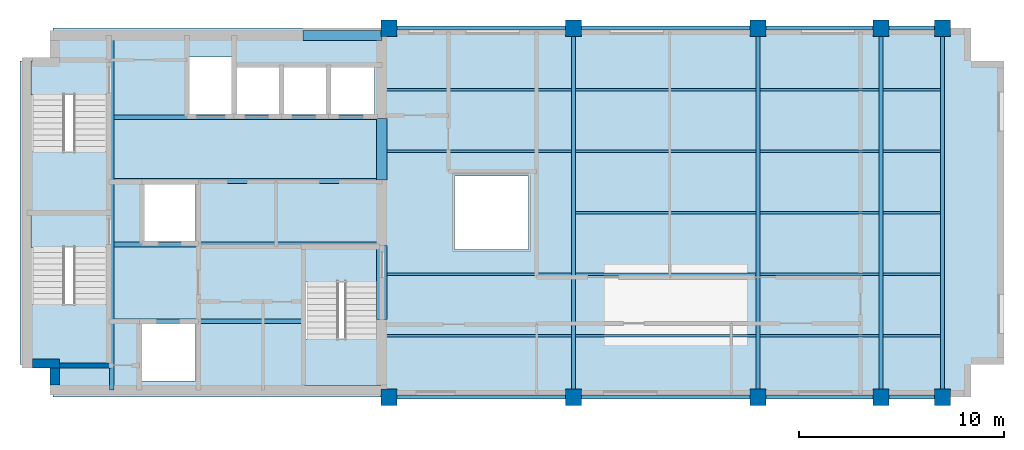
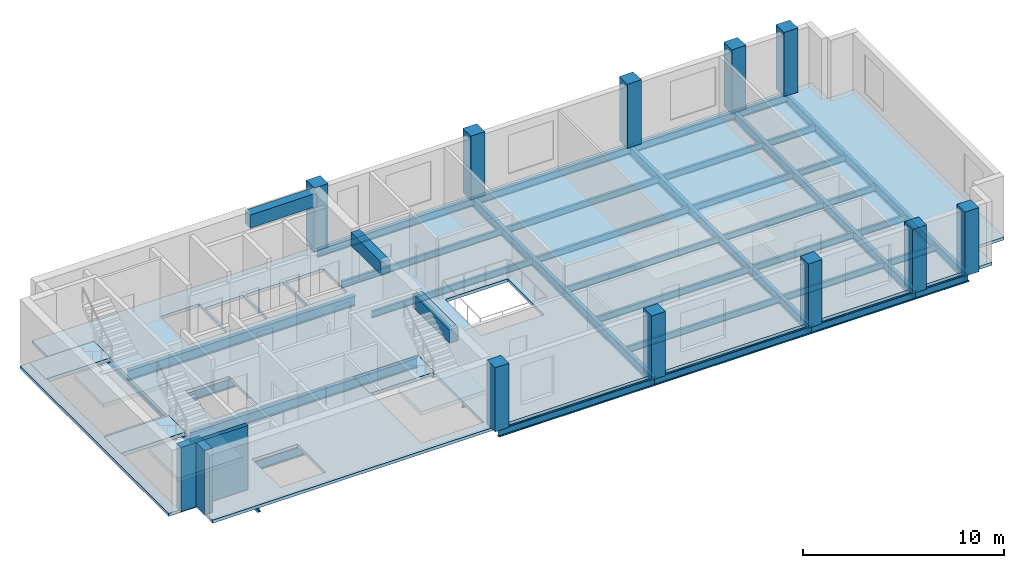
# One storey, part 1 of 5: 39 beams, 10 columns, 7 slabs, 3 walls, 3 elements without a shape of their own.
"""IFC4 building model written with IfcOpenShell, lengths in metres."""

from ifc_helpers import new_model, si_unit, direction, frame, frame_2d, origin, origin_2d, place, context, subcontext, project, spatial, polyline, rectangle, i_section, outline, extrude, material, layer, layer_set, material_profile, profile_set, type_object, element, aggregate, save


model = new_model("IFC4")

# Units and contexts
model_context = context("Model", 3, precision=1e-05, world=origin(), true_north=direction((0.0, 1.0)))
body_context = subcontext(model_context, "Body", "Model", "MODEL_VIEW")
ifc_project = project(units=[si_unit("LENGTHUNIT", "METRE"), si_unit("AREAUNIT", "SQUARE_METRE"), si_unit("VOLUMEUNIT", "CUBIC_METRE"), si_unit("PLANEANGLEUNIT", "RADIAN"), si_unit("MASSUNIT", "GRAM", prefix="KILO")], contexts=[model_context])

# Site, building, storey
site_placement = place(None, origin())
site = spatial("IfcSite", under=ifc_project, at=site_placement, CompositionType="ELEMENT")
building_placement = place(site_placement, origin())
building = spatial("IfcBuilding", under=site, at=building_placement, Name="Mawjdan Bourse Tower", CompositionType="ELEMENT")
storey_placement = place(building_placement, frame((0.0, 0.0, 258.60009765625)))
storey = spatial("IfcBuildingStorey", under=building, at=storey_placement, Name="L63", CompositionType="ELEMENT", Elevation=258.60009765625)

# Columns
ifc_material_1 = material(Name="Concrete C60/75", Category="concrete")
ifc_material_profile_1 = material_profile(ifc_material_1, rectangle(XDim=0.800048828125, YDim=0.800048828125, at=origin_2d()), Name="RC800X800")
ifc_profile_set_1 = profile_set([ifc_material_profile_1], Name="Concrete C60/75")
column_type = type_object("IfcColumnType", Name="COL-RC800X800", PredefinedType="COLUMN", material=ifc_profile_set_1)
for number, where, z_axis, x_axis, name in (
    (1, (24.0, 3.0, 0.0), (0.0, 0.0, 1.0), (1.0, 0.0, 0.0), "L63 Structural Column C-X240-Y30"),
    (2, (24.0, 21.0, 0.0), (0.0, 0.0, 1.0), (1.0, 0.0, 0.0), "L63 Structural Column C-X240-Y210"),
    (3, (33.0, 3.0, 0.0), (0.0, 0.0, 1.0), (1.0, 0.0, 0.0), "L63 Structural Column C-X330-Y30"),
    (4, (33.0, 21.0, 0.0), (0.0, 0.0, 1.0), (1.0, 0.0, 0.0), "L63 Structural Column C-X330-Y210"),
    (5, (42.0, 3.0, 0.0), (0.0, 0.0, 1.0), (1.0, 0.0, 0.0), "L63 Structural Column C-X420-Y30"),
    (6, (42.0, 21.0, 0.0), (0.0, 0.0, 1.0), (1.0, 0.0, 0.0), "L63 Structural Column C-X420-Y210"),
    (7, (48.0, 3.0, 0.0), (0.0, 0.0, 1.0), (1.0, 0.0, 0.0), "L63 Structural Column C-X480-Y30"),
    (8, (48.0, 21.0, 0.0), (0.0, 0.0, 1.0), (1.0, 0.0, 0.0), "L63 Structural Column C-X480-Y210"),
    (9, (51.0, 3.0, 0.0), (0.0, 0.0, 1.0), (1.0, 0.0, 0.0), "L63 Structural Column C-X510-Y30"),
    (10, (51.0, 21.0, 0.0), (0.0, 0.0, 1.0), (1.0, 0.0, 0.0), "L63 Structural Column C-X510-Y210"),
):
    element("IfcColumn", number, at=place(storey_placement, frame(where, z_axis=z_axis, x_axis=x_axis)), inside=storey, type_object=column_type, Name=name, PredefinedType="COLUMN", context=body_context, shape_type="SweptSolid", body=[
        extrude(rectangle(XDim=0.800048828125, YDim=0.800048828125, at=origin_2d()), origin(), (0.0, 0.0, 1.0), 3.89990234375),
    ])

# Beams
ifc_material_2 = material(Name="Structural Steel S355", Category="steel")
ifc_material_profile_2 = material_profile(ifc_material_2, i_section(OverallWidth=0.2119140625, OverallDepth=0.5439453125, WebThickness=0.01318359375, FlangeThickness=0.021240234375, FilletRadius=0.01708984375, at=origin_2d()), Name="W21X83")
ifc_profile_set_2 = profile_set([ifc_material_profile_2], Name="Structural Steel S355")
beam_type_1 = type_object("IfcBeamType", Name="GRD-W21X83", PredefinedType="BEAM", material=ifc_profile_set_2)
beam_1_placement = place(storey_placement, frame((10.47998046875, 3.35009765625, -0.45703125), z_axis=(0.0, 1.0, 0.0), x_axis=(-1.0, 0.0, 0.0)))
element("IfcBeam", 11, at=beam_1_placement, inside=storey, type_object=beam_type_1, Name="L63 Core Stair Trimmer Girder 001", PredefinedType="BEAM", context=body_context, shape_type="SweptSolid", body=[
    extrude(i_section(OverallWidth=0.2119140625, OverallDepth=0.5439453125, WebThickness=0.01318359375, FlangeThickness=0.021240234375, FilletRadius=0.01708984375, at=origin_2d()), origin(), (0.0, 0.0, 1.0), 17.2998046875),
])
for number, where, z_axis, x_axis, name in (
    (12, (33.0, 3.0, -0.45703125), (0.0, 1.0, 0.0), (-1.0, 0.0, 0.0), "L63 East Wing Clear-Span Girder 002"),
    (13, (42.0, 3.0, -0.45703125), (0.0, 1.0, 0.0), (-1.0, 0.0, 0.0), "L63 East Wing Clear-Span Girder 003"),
    (14, (48.0, 3.0, -0.45703125), (0.0, 1.0, 0.0), (-1.0, 0.0, 0.0), "L63 East Wing Clear-Span Girder 004"),
    (15, (51.0, 3.0, -0.45703125), (0.0, 1.0, 0.0), (-1.0, 0.0, 0.0), "L63 East Wing Clear-Span Girder 005"),
):
    element("IfcBeam", number, at=place(storey_placement, frame(where, z_axis=z_axis, x_axis=x_axis)), inside=storey, type_object=beam_type_1, Name=name, PredefinedType="BEAM", context=body_context, shape_type="SweptSolid", body=[
        extrude(i_section(OverallWidth=0.2119140625, OverallDepth=0.5439453125, WebThickness=0.01318359375, FlangeThickness=0.021240234375, FilletRadius=0.01708984375, at=origin_2d()), origin(), (0.0, 0.0, 1.0), 18.0),
    ])
ifc_material_profile_3 = material_profile(ifc_material_2, i_section(OverallWidth=0.139892578125, OverallDepth=0.404052734375, WebThickness=0.007080078125, FlangeThickness=0.01123046875, FilletRadius=0.009033203125, at=origin_2d()), Name="W16X31")
ifc_profile_set_3 = profile_set([ifc_material_profile_3], Name="Structural Steel S355")
beam_type_2 = type_object("IfcBeamType", Name="JST-W16X31", PredefinedType="JOIST", material=ifc_profile_set_3)
beam_2_placement = place(storey_placement, frame((23.64990234375, 6.0, -0.38720703125), z_axis=(1.0, 0.0, 0.0), x_axis=(0.0, 1.0, 0.0)))
element("IfcBeam", 16, at=beam_2_placement, inside=storey, type_object=beam_type_2, Name="L63 East Wing Composite Joist 014", PredefinedType="JOIST", context=body_context, shape_type="SweptSolid", body=[
    extrude(i_section(OverallWidth=0.139892578125, OverallDepth=0.404052734375, WebThickness=0.007080078125, FlangeThickness=0.01123046875, FilletRadius=0.009033203125, at=origin_2d()), origin(), (0.0, 0.0, 1.0), 9.24609375),
])
beam_3_placement = place(storey_placement, frame((33.10400390625, 6.0, -0.38720703125), z_axis=(1.0, 0.0, 0.0), x_axis=(0.0, 1.0, 0.0)))
element("IfcBeam", 17, at=beam_3_placement, inside=storey, type_object=beam_type_2, Name="L63 East Wing Composite Joist 015", PredefinedType="JOIST", context=body_context, shape_type="SweptSolid", body=[
    extrude(i_section(OverallWidth=0.139892578125, OverallDepth=0.404052734375, WebThickness=0.007080078125, FlangeThickness=0.01123046875, FilletRadius=0.009033203125, at=origin_2d()), origin(), (0.0, 0.0, 1.0), 8.7919921875),
])
beam_4_placement = place(storey_placement, frame((42.10400390625, 6.0, -0.38720703125), z_axis=(1.0, 0.0, 0.0), x_axis=(0.0, 1.0, 0.0)))
element("IfcBeam", 18, at=beam_4_placement, inside=storey, type_object=beam_type_2, Name="L63 East Wing Composite Joist 016", PredefinedType="JOIST", context=body_context, shape_type="SweptSolid", body=[
    extrude(i_section(OverallWidth=0.139892578125, OverallDepth=0.404052734375, WebThickness=0.007080078125, FlangeThickness=0.01123046875, FilletRadius=0.009033203125, at=origin_2d()), origin(), (0.0, 0.0, 1.0), 5.7919921875),
])
beam_5_placement = place(storey_placement, frame((48.10400390625, 6.0, -0.38720703125), z_axis=(1.0, 0.0, 0.0), x_axis=(0.0, 1.0, 0.0)))
element("IfcBeam", 19, at=beam_5_placement, inside=storey, type_object=beam_type_2, Name="L63 East Wing Composite Joist 017", PredefinedType="JOIST", context=body_context, shape_type="SweptSolid", body=[
    extrude(i_section(OverallWidth=0.139892578125, OverallDepth=0.404052734375, WebThickness=0.007080078125, FlangeThickness=0.01123046875, FilletRadius=0.009033203125, at=origin_2d()), origin(), (0.0, 0.0, 1.0), 2.7919921875),
])
beam_6_placement = place(storey_placement, frame((23.64990234375, 9.0, -0.38720703125), z_axis=(1.0, 0.0, 0.0), x_axis=(0.0, 1.0, 0.0)))
element("IfcBeam", 20, at=beam_6_placement, inside=storey, type_object=beam_type_2, Name="L63 East Wing Composite Joist 018", PredefinedType="JOIST", context=body_context, shape_type="SweptSolid", body=[
    extrude(i_section(OverallWidth=0.139892578125, OverallDepth=0.404052734375, WebThickness=0.007080078125, FlangeThickness=0.01123046875, FilletRadius=0.009033203125, at=origin_2d()), origin(), (0.0, 0.0, 1.0), 9.24609375),
])
beam_7_placement = place(storey_placement, frame((33.10400390625, 9.0, -0.38720703125), z_axis=(1.0, 0.0, 0.0), x_axis=(0.0, 1.0, 0.0)))
element("IfcBeam", 21, at=beam_7_placement, inside=storey, type_object=beam_type_2, Name="L63 East Wing Composite Joist 019", PredefinedType="JOIST", context=body_context, shape_type="SweptSolid", body=[
    extrude(i_section(OverallWidth=0.139892578125, OverallDepth=0.404052734375, WebThickness=0.007080078125, FlangeThickness=0.01123046875, FilletRadius=0.009033203125, at=origin_2d()), origin(), (0.0, 0.0, 1.0), 8.7919921875),
])
beam_8_placement = place(storey_placement, frame((42.10400390625, 9.0, -0.38720703125), z_axis=(1.0, 0.0, 0.0), x_axis=(0.0, 1.0, 0.0)))
element("IfcBeam", 22, at=beam_8_placement, inside=storey, type_object=beam_type_2, Name="L63 East Wing Composite Joist 020", PredefinedType="JOIST", context=body_context, shape_type="SweptSolid", body=[
    extrude(i_section(OverallWidth=0.139892578125, OverallDepth=0.404052734375, WebThickness=0.007080078125, FlangeThickness=0.01123046875, FilletRadius=0.009033203125, at=origin_2d()), origin(), (0.0, 0.0, 1.0), 5.7919921875),
])
beam_9_placement = place(storey_placement, frame((48.10400390625, 9.0, -0.38720703125), z_axis=(1.0, 0.0, 0.0), x_axis=(0.0, 1.0, 0.0)))
element("IfcBeam", 23, at=beam_9_placement, inside=storey, type_object=beam_type_2, Name="L63 East Wing Composite Joist 021", PredefinedType="JOIST", context=body_context, shape_type="SweptSolid", body=[
    extrude(i_section(OverallWidth=0.139892578125, OverallDepth=0.404052734375, WebThickness=0.007080078125, FlangeThickness=0.01123046875, FilletRadius=0.009033203125, at=origin_2d()), origin(), (0.0, 0.0, 1.0), 2.7919921875),
])
beam_10_placement = place(storey_placement, frame((33.10400390625, 12.0, -0.38720703125), z_axis=(1.0, 0.0, 0.0), x_axis=(0.0, 1.0, 0.0)))
element("IfcBeam", 24, at=beam_10_placement, inside=storey, type_object=beam_type_2, Name="L63 East Wing Composite Joist 022", PredefinedType="JOIST", context=body_context, shape_type="SweptSolid", body=[
    extrude(i_section(OverallWidth=0.139892578125, OverallDepth=0.404052734375, WebThickness=0.007080078125, FlangeThickness=0.01123046875, FilletRadius=0.009033203125, at=origin_2d()), origin(), (0.0, 0.0, 1.0), 8.7919921875),
])
beam_11_placement = place(storey_placement, frame((42.10400390625, 12.0, -0.38720703125), z_axis=(1.0, 0.0, 0.0), x_axis=(0.0, 1.0, 0.0)))
element("IfcBeam", 25, at=beam_11_placement, inside=storey, type_object=beam_type_2, Name="L63 East Wing Composite Joist 023", PredefinedType="JOIST", context=body_context, shape_type="SweptSolid", body=[
    extrude(i_section(OverallWidth=0.139892578125, OverallDepth=0.404052734375, WebThickness=0.007080078125, FlangeThickness=0.01123046875, FilletRadius=0.009033203125, at=origin_2d()), origin(), (0.0, 0.0, 1.0), 5.7919921875),
])
beam_12_placement = place(storey_placement, frame((48.10400390625, 12.0, -0.38720703125), z_axis=(1.0, 0.0, 0.0), x_axis=(0.0, 1.0, 0.0)))
element("IfcBeam", 26, at=beam_12_placement, inside=storey, type_object=beam_type_2, Name="L63 East Wing Composite Joist 024", PredefinedType="JOIST", context=body_context, shape_type="SweptSolid", body=[
    extrude(i_section(OverallWidth=0.139892578125, OverallDepth=0.404052734375, WebThickness=0.007080078125, FlangeThickness=0.01123046875, FilletRadius=0.009033203125, at=origin_2d()), origin(), (0.0, 0.0, 1.0), 2.7919921875),
])
beam_13_placement = place(storey_placement, frame((23.64990234375, 15.0, -0.38720703125), z_axis=(1.0, 0.0, 0.0), x_axis=(0.0, 1.0, 0.0)))
element("IfcBeam", 27, at=beam_13_placement, inside=storey, type_object=beam_type_2, Name="L63 East Wing Composite Joist 025", PredefinedType="JOIST", context=body_context, shape_type="SweptSolid", body=[
    extrude(i_section(OverallWidth=0.139892578125, OverallDepth=0.404052734375, WebThickness=0.007080078125, FlangeThickness=0.01123046875, FilletRadius=0.009033203125, at=origin_2d()), origin(), (0.0, 0.0, 1.0), 9.24609375),
])
beam_14_placement = place(storey_placement, frame((33.10400390625, 15.0, -0.38720703125), z_axis=(1.0, 0.0, 0.0), x_axis=(0.0, 1.0, 0.0)))
element("IfcBeam", 28, at=beam_14_placement, inside=storey, type_object=beam_type_2, Name="L63 East Wing Composite Joist 026", PredefinedType="JOIST", context=body_context, shape_type="SweptSolid", body=[
    extrude(i_section(OverallWidth=0.139892578125, OverallDepth=0.404052734375, WebThickness=0.007080078125, FlangeThickness=0.01123046875, FilletRadius=0.009033203125, at=origin_2d()), origin(), (0.0, 0.0, 1.0), 8.7919921875),
])
beam_15_placement = place(storey_placement, frame((42.10400390625, 15.0, -0.38720703125), z_axis=(1.0, 0.0, 0.0), x_axis=(0.0, 1.0, 0.0)))
element("IfcBeam", 29, at=beam_15_placement, inside=storey, type_object=beam_type_2, Name="L63 East Wing Composite Joist 027", PredefinedType="JOIST", context=body_context, shape_type="SweptSolid", body=[
    extrude(i_section(OverallWidth=0.139892578125, OverallDepth=0.404052734375, WebThickness=0.007080078125, FlangeThickness=0.01123046875, FilletRadius=0.009033203125, at=origin_2d()), origin(), (0.0, 0.0, 1.0), 5.7919921875),
])
beam_16_placement = place(storey_placement, frame((48.10400390625, 15.0, -0.38720703125), z_axis=(1.0, 0.0, 0.0), x_axis=(0.0, 1.0, 0.0)))
element("IfcBeam", 30, at=beam_16_placement, inside=storey, type_object=beam_type_2, Name="L63 East Wing Composite Joist 028", PredefinedType="JOIST", context=body_context, shape_type="SweptSolid", body=[
    extrude(i_section(OverallWidth=0.139892578125, OverallDepth=0.404052734375, WebThickness=0.007080078125, FlangeThickness=0.01123046875, FilletRadius=0.009033203125, at=origin_2d()), origin(), (0.0, 0.0, 1.0), 2.7919921875),
])
beam_17_placement = place(storey_placement, frame((23.64990234375, 18.0, -0.38720703125), z_axis=(1.0, 0.0, 0.0), x_axis=(0.0, 1.0, 0.0)))
element("IfcBeam", 31, at=beam_17_placement, inside=storey, type_object=beam_type_2, Name="L63 East Wing Composite Joist 029", PredefinedType="JOIST", context=body_context, shape_type="SweptSolid", body=[
    extrude(i_section(OverallWidth=0.139892578125, OverallDepth=0.404052734375, WebThickness=0.007080078125, FlangeThickness=0.01123046875, FilletRadius=0.009033203125, at=origin_2d()), origin(), (0.0, 0.0, 1.0), 9.24609375),
])
beam_18_placement = place(storey_placement, frame((33.10400390625, 18.0, -0.38720703125), z_axis=(1.0, 0.0, 0.0), x_axis=(0.0, 1.0, 0.0)))
element("IfcBeam", 32, at=beam_18_placement, inside=storey, type_object=beam_type_2, Name="L63 East Wing Composite Joist 030", PredefinedType="JOIST", context=body_context, shape_type="SweptSolid", body=[
    extrude(i_section(OverallWidth=0.139892578125, OverallDepth=0.404052734375, WebThickness=0.007080078125, FlangeThickness=0.01123046875, FilletRadius=0.009033203125, at=origin_2d()), origin(), (0.0, 0.0, 1.0), 8.7919921875),
])
beam_19_placement = place(storey_placement, frame((42.10400390625, 18.0, -0.38720703125), z_axis=(1.0, 0.0, 0.0), x_axis=(0.0, 1.0, 0.0)))
element("IfcBeam", 33, at=beam_19_placement, inside=storey, type_object=beam_type_2, Name="L63 East Wing Composite Joist 031", PredefinedType="JOIST", context=body_context, shape_type="SweptSolid", body=[
    extrude(i_section(OverallWidth=0.139892578125, OverallDepth=0.404052734375, WebThickness=0.007080078125, FlangeThickness=0.01123046875, FilletRadius=0.009033203125, at=origin_2d()), origin(), (0.0, 0.0, 1.0), 5.7919921875),
])
beam_20_placement = place(storey_placement, frame((48.10400390625, 18.0, -0.38720703125), z_axis=(1.0, 0.0, 0.0), x_axis=(0.0, 1.0, 0.0)))
element("IfcBeam", 34, at=beam_20_placement, inside=storey, type_object=beam_type_2, Name="L63 East Wing Composite Joist 032", PredefinedType="JOIST", context=body_context, shape_type="SweptSolid", body=[
    extrude(i_section(OverallWidth=0.139892578125, OverallDepth=0.404052734375, WebThickness=0.007080078125, FlangeThickness=0.01123046875, FilletRadius=0.009033203125, at=origin_2d()), origin(), (0.0, 0.0, 1.0), 2.7919921875),
])
ifc_material_profile_4 = material_profile(ifc_material_2, i_section(OverallWidth=0.22998046875, OverallDepth=0.616943359375, WebThickness=0.01318359375, FlangeThickness=0.022216796875, FilletRadius=0.017822265625, at=origin_2d()), Name="W24X94")
ifc_profile_set_4 = profile_set([ifc_material_profile_4], Name="Structural Steel S355")
beam_type_3 = type_object("IfcBeamType", Name="JST-W24X94", PredefinedType="JOIST", material=ifc_profile_set_4)
beam_21_placement = place(storey_placement, frame((10.583984375, 6.699951171875, -0.49365234375), z_axis=(1.0, 0.0, 0.0), x_axis=(0.0, 1.0, 0.0)))
element("IfcBeam", 35, at=beam_21_placement, inside=storey, type_object=beam_type_3, Name="L63 Core Floor Joist 033", PredefinedType="JOIST", context=body_context, shape_type="SweptSolid", body=[
    extrude(i_section(OverallWidth=0.22998046875, OverallDepth=0.616943359375, WebThickness=0.01318359375, FlangeThickness=0.022216796875, FilletRadius=0.017822265625, at=origin_2d()), origin(), (0.0, 0.0, 1.0), 9.24609375),
])
for number, where, z_axis, x_axis, name in (
    (36, (10.583984375, 10.449951171875, -0.49365234375), (1.0, 0.0, 0.0), (0.0, 1.0, 0.0), "L63 Core Floor Joist 034"),
    (37, (10.583984375, 13.550048828125, -0.49365234375), (1.0, 0.0, 0.0), (0.0, 1.0, 0.0), "L63 Core Floor Joist 035"),
    (38, (10.583984375, 16.64990234375, -0.49365234375), (1.0, 0.0, 0.0), (0.0, 1.0, 0.0), "L63 Core Floor Joist 036"),
):
    element("IfcBeam", number, at=place(storey_placement, frame(where, z_axis=z_axis, x_axis=x_axis)), inside=storey, type_object=beam_type_3, Name=name, PredefinedType="JOIST", context=body_context, shape_type="SweptSolid", body=[
        extrude(i_section(OverallWidth=0.22998046875, OverallDepth=0.616943359375, WebThickness=0.01318359375, FlangeThickness=0.022216796875, FilletRadius=0.017822265625, at=origin_2d()), origin(), (0.0, 0.0, 1.0), 13.06591796875),
    ])
ifc_material_3 = material(Name="Concrete C70/85", Category="concrete")
ifc_material_profile_5 = material_profile(ifc_material_3, rectangle(XDim=0.5, YDim=0.800048828125, at=origin_2d()), Name="RCB500X800")
ifc_profile_set_5 = profile_set([ifc_material_profile_5], Name="Concrete C70/85")
beam_type_4 = type_object("IfcBeamType", Name="LNT-RCB500X800", PredefinedType="LINTEL", material=ifc_profile_set_5)
beam_22_placement = place(storey_placement, frame((23.64990234375, 6.800048828125, 3.31494140625), z_axis=(0.0, 1.0, 0.0), x_axis=(-1.0, 0.0, 0.0)))
element("IfcBeam", 39, at=beam_22_placement, inside=storey, type_object=beam_type_4, Name="L63 Coupled Core Lintel CB-E1", PredefinedType="LINTEL", context=body_context, shape_type="SweptSolid", body=[
    extrude(rectangle(XDim=0.5, YDim=0.800048828125, at=origin_2d()), origin(), (0.0, 0.0, 1.0), 3.599853515625),
])
beam_23_placement = place(storey_placement, frame((23.64990234375, 13.60009765625, 3.31494140625), z_axis=(0.0, 1.0, 0.0), x_axis=(-1.0, 0.0, 0.0)))
element("IfcBeam", 40, at=beam_23_placement, inside=storey, type_object=beam_type_4, Name="L63 Coupled Core Lintel CB-E2", PredefinedType="LINTEL", context=body_context, shape_type="SweptSolid", body=[
    extrude(rectangle(XDim=0.5, YDim=0.800048828125, at=origin_2d()), origin(), (0.0, 0.0, 1.0), 3.0),
])
beam_24_placement = place(storey_placement, frame((19.800048828125, 20.64990234375, 3.31494140625), z_axis=(1.0, 0.0, 0.0), x_axis=(0.0, 1.0, 0.0)))
element("IfcBeam", 41, at=beam_24_placement, inside=storey, type_object=beam_type_4, Name="L63 Coupled Core Lintel CB-N1", PredefinedType="LINTEL", context=body_context, shape_type="SweptSolid", body=[
    extrude(rectangle(XDim=0.5, YDim=0.800048828125, at=origin_2d()), origin(), (0.0, 0.0, 1.0), 3.849853515625),
])
ifc_material_profile_6 = material_profile(ifc_material_2, i_section(OverallWidth=0.19189453125, OverallDepth=0.462890625, WebThickness=0.010498046875, FlangeThickness=0.017578125, FilletRadius=0.01416015625, at=origin_2d()), Name="W18X60")
ifc_profile_set_6 = profile_set([ifc_material_profile_6], Name="Structural Steel S355")
beam_type_5 = type_object("IfcBeamType", Name="SPN-W18X60", PredefinedType="SPANDREL", material=ifc_profile_set_6)
for number, where, z_axis, x_axis, name in (
    (42, (24.0, 3.0, -0.41650390625), (1.0, 0.0, 0.0), (0.0, 1.0, 0.0), "L63 Perimeter Masonry-Shelf Spandrel 006"),
    (43, (33.0, 3.0, -0.41650390625), (1.0, 0.0, 0.0), (0.0, 1.0, 0.0), "L63 Perimeter Masonry-Shelf Spandrel 007"),
):
    element("IfcBeam", number, at=place(storey_placement, frame(where, z_axis=z_axis, x_axis=x_axis)), inside=storey, type_object=beam_type_5, Name=name, PredefinedType="SPANDREL", context=body_context, shape_type="SweptSolid", body=[
        extrude(i_section(OverallWidth=0.19189453125, OverallDepth=0.462890625, WebThickness=0.010498046875, FlangeThickness=0.017578125, FilletRadius=0.01416015625, at=origin_2d()), origin(), (0.0, 0.0, 1.0), 9.0),
    ])
beam_25_placement = place(storey_placement, frame((42.0, 3.0, -0.41650390625), z_axis=(1.0, 0.0, 0.0), x_axis=(0.0, 1.0, 0.0)))
element("IfcBeam", 44, at=beam_25_placement, inside=storey, type_object=beam_type_5, Name="L63 Perimeter Masonry-Shelf Spandrel 008", PredefinedType="SPANDREL", context=body_context, shape_type="SweptSolid", body=[
    extrude(i_section(OverallWidth=0.19189453125, OverallDepth=0.462890625, WebThickness=0.010498046875, FlangeThickness=0.017578125, FilletRadius=0.01416015625, at=origin_2d()), origin(), (0.0, 0.0, 1.0), 6.0),
])
beam_26_placement = place(storey_placement, frame((48.0, 3.0, -0.41650390625), z_axis=(1.0, 0.0, 0.0), x_axis=(0.0, 1.0, 0.0)))
element("IfcBeam", 45, at=beam_26_placement, inside=storey, type_object=beam_type_5, Name="L63 Perimeter Masonry-Shelf Spandrel 009", PredefinedType="SPANDREL", context=body_context, shape_type="SweptSolid", body=[
    extrude(i_section(OverallWidth=0.19189453125, OverallDepth=0.462890625, WebThickness=0.010498046875, FlangeThickness=0.017578125, FilletRadius=0.01416015625, at=origin_2d()), origin(), (0.0, 0.0, 1.0), 3.0),
])
for number, where, z_axis, x_axis, name in (
    (46, (24.0, 21.0, -0.41650390625), (1.0, 0.0, 0.0), (0.0, 1.0, 0.0), "L63 Perimeter Masonry-Shelf Spandrel 010"),
    (47, (33.0, 21.0, -0.41650390625), (1.0, 0.0, 0.0), (0.0, 1.0, 0.0), "L63 Perimeter Masonry-Shelf Spandrel 011"),
):
    element("IfcBeam", number, at=place(storey_placement, frame(where, z_axis=z_axis, x_axis=x_axis)), inside=storey, type_object=beam_type_5, Name=name, PredefinedType="SPANDREL", context=body_context, shape_type="SweptSolid", body=[
        extrude(i_section(OverallWidth=0.19189453125, OverallDepth=0.462890625, WebThickness=0.010498046875, FlangeThickness=0.017578125, FilletRadius=0.01416015625, at=origin_2d()), origin(), (0.0, 0.0, 1.0), 9.0),
    ])
beam_27_placement = place(storey_placement, frame((42.0, 21.0, -0.41650390625), z_axis=(1.0, 0.0, 0.0), x_axis=(0.0, 1.0, 0.0)))
element("IfcBeam", 48, at=beam_27_placement, inside=storey, type_object=beam_type_5, Name="L63 Perimeter Masonry-Shelf Spandrel 012", PredefinedType="SPANDREL", context=body_context, shape_type="SweptSolid", body=[
    extrude(i_section(OverallWidth=0.19189453125, OverallDepth=0.462890625, WebThickness=0.010498046875, FlangeThickness=0.017578125, FilletRadius=0.01416015625, at=origin_2d()), origin(), (0.0, 0.0, 1.0), 6.0),
])
beam_28_placement = place(storey_placement, frame((48.0, 21.0, -0.41650390625), z_axis=(1.0, 0.0, 0.0), x_axis=(0.0, 1.0, 0.0)))
element("IfcBeam", 49, at=beam_28_placement, inside=storey, type_object=beam_type_5, Name="L63 Perimeter Masonry-Shelf Spandrel 013", PredefinedType="SPANDREL", context=body_context, shape_type="SweptSolid", body=[
    extrude(i_section(OverallWidth=0.19189453125, OverallDepth=0.462890625, WebThickness=0.010498046875, FlangeThickness=0.017578125, FilletRadius=0.01416015625, at=origin_2d()), origin(), (0.0, 0.0, 1.0), 3.0),
])

# Stair, slabs
ifc_material_4 = material(Name="Concrete C50/60", Category="concrete")
stair_type = type_object("IfcStairType", Name="STR-CORE-1500", PredefinedType="HALF_TURN_STAIR", material=ifc_material_4)
stair_1_placement = place(storey_placement, origin())
stair_1 = element("IfcStair", 50, at=stair_1_placement, inside=storey, type_object=stair_type, Name="L63 Exit Stair 1 (Core South-West)", PredefinedType="HALF_TURN_STAIR")
ifc_layer_1 = layer(ifc_material_4, 0.22998046875)
ifc_layer_set_1 = layer_set([ifc_layer_1], Name="Concrete C50/60")
slab_type_1 = type_object("IfcSlabType", Name="SL-LND-230", PredefinedType="LANDING", material=ifc_layer_set_1)
slab_1_placement = place(storey_placement, frame((0.0, 0.0, -0.22998046875)))
slab_1 = element("IfcSlab", 51, at=slab_1_placement, type_object=slab_type_1, Name="ST1-L63 landing 1", PredefinedType="LANDING", context=body_context, shape_type="SweptSolid", body=[
    extrude(outline(polyline([(6.5400390625, 10.31005859375), (10.260009765625, 10.31005859375), (10.260009765625, 11.969970703125), (6.5400390625, 11.969970703125), (6.5400390625, 10.31005859375)])), origin(), (0.0, 0.0, 1.0), 0.22998046875),
])
slab_2_placement = place(storey_placement, frame((0.0, 0.0, 1.719970703125)))
slab_2 = element("IfcSlab", 52, at=slab_2_placement, type_object=slab_type_1, Name="ST1-L63 landing 2", PredefinedType="LANDING", context=body_context, shape_type="SweptSolid", body=[
    extrude(outline(polyline([(6.5400390625, 4.590087890625), (10.260009765625, 4.590087890625), (10.260009765625, 7.5400390625), (6.5400390625, 7.5400390625), (6.5400390625, 4.590087890625)])), origin(), (0.0, 0.0, 1.0), 0.22998046875),
])
aggregate(stair_1, [slab_1, slab_2])

stair_2_placement = place(storey_placement, origin())
stair_2 = element("IfcStair", 53, at=stair_2_placement, inside=storey, type_object=stair_type, Name="L63 Exit Stair 2 (Core North-West)", PredefinedType="HALF_TURN_STAIR")
slab_3_placement = place(storey_placement, frame((0.0, 0.0, -0.22998046875)))
slab_3 = element("IfcSlab", 54, at=slab_3_placement, type_object=slab_type_1, Name="ST2-L63 landing 1", PredefinedType="LANDING", context=body_context, shape_type="SweptSolid", body=[
    extrude(outline(polyline([(6.5400390625, 17.75), (10.260009765625, 17.75), (10.260009765625, 19.409912109375), (6.5400390625, 19.409912109375), (6.5400390625, 17.75)])), origin(), (0.0, 0.0, 1.0), 0.22998046875),
])
slab_4_placement = place(storey_placement, frame((0.0, 0.0, 1.719970703125)))
slab_4 = element("IfcSlab", 55, at=slab_4_placement, type_object=slab_type_1, Name="ST2-L63 landing 2", PredefinedType="LANDING", context=body_context, shape_type="SweptSolid", body=[
    extrude(outline(polyline([(6.5400390625, 12.030029296875), (10.260009765625, 12.030029296875), (10.260009765625, 14.97998046875), (6.5400390625, 14.97998046875), (6.5400390625, 12.030029296875)])), origin(), (0.0, 0.0, 1.0), 0.22998046875),
])
aggregate(stair_2, [slab_3, slab_4])

stair_3_placement = place(storey_placement, origin())
stair_3 = element("IfcStair", 56, at=stair_3_placement, inside=storey, type_object=stair_type, Name="L63 Exit Stair 7 (Core South-East)", PredefinedType="HALF_TURN_STAIR")
slab_5_placement = place(storey_placement, frame((0.0, 0.0, -0.22998046875)))
slab_5 = element("IfcSlab", 57, at=slab_5_placement, type_object=slab_type_1, Name="ST7-L63 landing 1", PredefinedType="LANDING", context=body_context, shape_type="SweptSolid", body=[
    extrude(outline(polyline([(19.889892578125, 8.6201171875), (23.610107421875, 8.6201171875), (23.610107421875, 10.280029296875), (19.889892578125, 10.280029296875), (19.889892578125, 8.6201171875)])), origin(), (0.0, 0.0, 1.0), 0.22998046875),
])
slab_6_placement = place(storey_placement, frame((0.0, 0.0, 1.719970703125)))
slab_6 = element("IfcSlab", 58, at=slab_6_placement, type_object=slab_type_1, Name="ST7-L63 landing 2", PredefinedType="LANDING", context=body_context, shape_type="SweptSolid", body=[
    extrude(outline(polyline([(19.889892578125, 3.56005859375), (23.610107421875, 3.56005859375), (23.610107421875, 5.85009765625), (19.889892578125, 5.85009765625), (19.889892578125, 3.56005859375)])), origin(), (0.0, 0.0, 1.0), 0.22998046875),
])
aggregate(stair_3, [slab_5, slab_6])

# Slab
ifc_layer_2 = layer(ifc_material_4, 0.18505859375)
ifc_layer_set_2 = layer_set([ifc_layer_2], Name="Concrete C50/60")
slab_type_2 = type_object("IfcSlabType", Name="SL-SMT-185", PredefinedType="FLOOR", material=ifc_layer_set_2)
slab_7_placement = place(storey_placement, frame((0.0, 0.0, -0.18505859375)))
element("IfcSlab", 59, at=slab_7_placement, inside=storey, type_object=slab_type_2, Name="L63 Structural Floor Slab 1", PredefinedType="FLOOR", context=body_context, shape_type="SweptSolid", body=[
    extrude(outline(polyline([(7.60009765625, 3.0), (52.39990234375, 3.0), (52.39990234375, 4.60009765625), (54.0, 4.60009765625), (54.0, 19.39990234375), (52.39990234375, 19.39990234375), (52.39990234375, 21.0), (7.60009765625, 21.0), (7.60009765625, 19.39990234375), (6.0, 19.39990234375), (6.0, 4.60009765625), (7.60009765625, 4.60009765625), (7.60009765625, 3.0)]), holes=[polyline([(14.550048828125, 3.800048828125), (11.949951171875, 3.800048828125), (11.949951171875, 6.60009765625), (14.550048828125, 6.60009765625), (14.550048828125, 3.800048828125)]), polyline([(10.260009765625, 11.969970703125), (10.260009765625, 10.31005859375), (10.199951171875, 10.31005859375), (10.199951171875, 4.64990234375), (6.60009765625, 4.64990234375), (6.60009765625, 10.31005859375), (6.5400390625, 10.31005859375), (6.5400390625, 11.969970703125), (10.260009765625, 11.969970703125)]), polyline([(14.550048828125, 10.60009765625), (12.050048828125, 10.60009765625), (12.050048828125, 13.39990234375), (14.550048828125, 13.39990234375), (14.550048828125, 10.60009765625)]), polyline([(6.60009765625, 12.090087890625), (6.60009765625, 17.75), (6.5400390625, 17.75), (6.5400390625, 19.3798828125), (7.60009765625, 19.3798828125), (7.60205078125, 19.380126953125), (7.60400390625, 19.38037109375), (7.605712890625, 19.380859375), (7.607666015625, 19.381591796875), (7.609375, 19.38232421875), (7.611083984375, 19.38330078125), (7.61279296875, 19.384521484375), (7.614013671875, 19.385986328125), (7.615478515625, 19.38720703125), (7.61669921875, 19.388916015625), (7.61767578125, 19.390625), (7.618408203125, 19.392333984375), (7.619140625, 19.394287109375), (7.61962890625, 19.39599609375), (7.619873046875, 19.39794921875), (7.6201171875, 19.39990234375), (7.6201171875, 19.409912109375), (10.260009765625, 19.409912109375), (10.260009765625, 17.75), (10.199951171875, 17.75), (10.199951171875, 12.090087890625), (6.60009765625, 12.090087890625)]), polyline([(14.199951171875, 16.800048828125), (14.199951171875, 19.60009765625), (16.39990234375, 19.60009765625), (16.39990234375, 16.800048828125), (14.199951171875, 16.800048828125)]), polyline([(23.610107421875, 10.280029296875), (23.610107421875, 8.6201171875), (23.550048828125, 8.6201171875), (23.550048828125, 3.6201171875), (19.949951171875, 3.6201171875), (19.949951171875, 8.6201171875), (19.889892578125, 8.6201171875), (19.889892578125, 10.280029296875), (23.610107421875, 10.280029296875)]), polyline([(27.199951171875, 10.199951171875), (27.199951171875, 13.800048828125), (30.800048828125, 13.800048828125), (30.800048828125, 10.199951171875), (27.199951171875, 10.199951171875)]), polyline([(16.5, 16.800048828125), (16.5, 19.14990234375), (18.699951171875, 19.14990234375), (18.699951171875, 16.800048828125), (16.5, 16.800048828125)]), polyline([(18.800048828125, 16.800048828125), (18.800048828125, 19.14990234375), (21.0, 19.14990234375), (21.0, 16.800048828125), (18.800048828125, 16.800048828125)]), polyline([(21.10009765625, 16.800048828125), (21.10009765625, 19.14990234375), (23.300048828125, 19.14990234375), (23.300048828125, 16.800048828125), (21.10009765625, 16.800048828125)])]), origin(), (0.0, 0.0, 1.0), 0.18505859375),
])

# Walls
ifc_layer_3 = layer(ifc_material_1, 0.449951171875)
ifc_layer_set_3 = layer_set([ifc_layer_3], Name="Concrete C60/75")
wall_type_1 = type_object("IfcWallType", Name="WL-CORE-450", PredefinedType="SHEAR", material=ifc_layer_set_3)
wall_1_placement = place(storey_placement, frame((6.60009765625, 4.64990234375, 0.0), z_axis=(0.0, 0.0, 1.0), x_axis=(1.0, 0.0, 0.0)))
element("IfcWall", 60, at=wall_1_placement, inside=storey, type_object=wall_type_1, Name="L63 Rear Core Shear Wall SW-X", PredefinedType="SHEAR", context=body_context, shape_type="SweptSolid", body=[
    extrude(rectangle(XDim=1.324951171875, YDim=0.449951171875, at=frame_2d((0.66259765625, 0.0))), origin(), (0.0, 0.0, 1.0), 3.89990234375),
])
wall_2_placement = place(storey_placement, frame((7.699951171875, 3.60009765625, 0.0), z_axis=(0.0, 0.0, 1.0), x_axis=(0.0, 1.0, 0.0)))
element("IfcWall", 61, at=wall_2_placement, inside=storey, type_object=wall_type_1, Name="L63 Rear Core Shear Wall SW-Y", PredefinedType="SHEAR", context=body_context, shape_type="SweptSolid", body=[
    extrude(rectangle(XDim=0.824951171875, YDim=0.449951171875, at=frame_2d((0.41259765625, 0.0))), origin(), (0.0, 0.0, 1.0), 3.89990234375),
])
ifc_layer_4 = layer(ifc_material_4, 0.25)
ifc_layer_set_4 = layer_set([ifc_layer_4], Name="Concrete C50/60")
wall_type_2 = type_object("IfcWallType", Name="WL-STRW-250", PredefinedType="SHEAR", material=ifc_layer_set_4)
wall_3_placement = place(storey_placement, frame((7.699951171875, 4.550048828125, 0.0), z_axis=(0.0, 0.0, 1.0), x_axis=(1.0, 0.0, 0.0)))
element("IfcWall", 62, at=wall_3_placement, inside=storey, type_object=wall_type_2, Name="L63 Stairwell ST1 South Shaft Wall", PredefinedType="SHEAR", context=body_context, shape_type="SweptSolid", body=[
    extrude(rectangle(XDim=2.755126953125, YDim=0.25, at=frame_2d((1.37744140625, 0.0))), origin(), (0.0, 0.0, 1.0), 3.89990234375),
])

save(model, "model.ifc")
